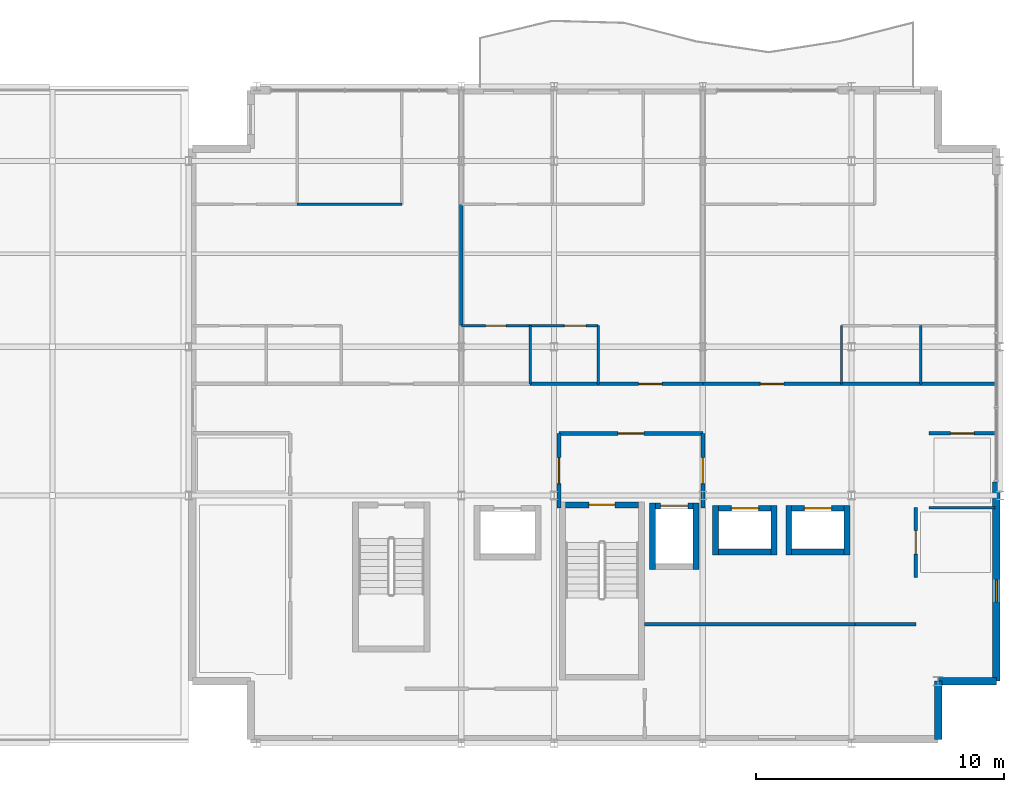
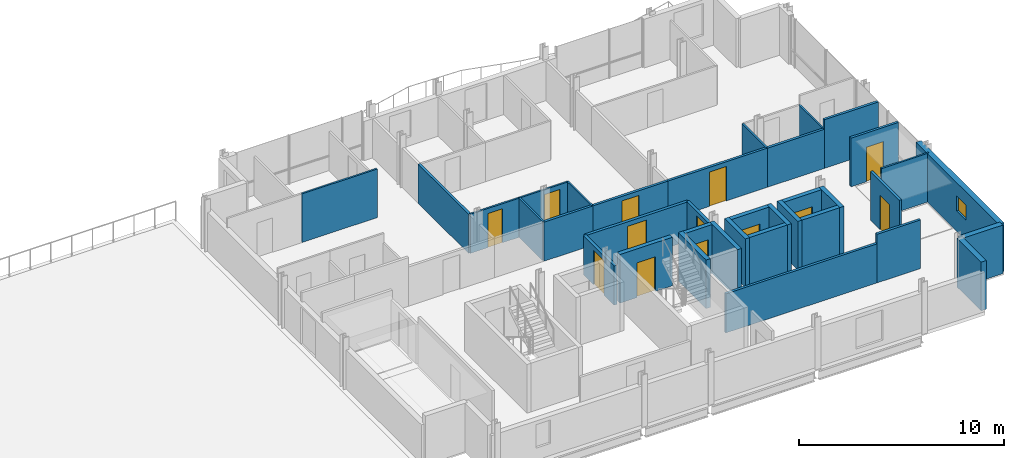
# One storey, part 14 of 17: 36 walls, 13 doors, 1 window, 14 openings.
"""IFC4 building model written with IfcOpenShell, lengths in metres."""

from ifc_helpers import new_model, si_unit, direction, frame, frame_2d, origin, place, context, subcontext, project, spatial, rectangle, extrude, material, layer, layer_set, type_object, element, fill, save


model = new_model("IFC4")

# Units and contexts
model_context = context("Model", 3, precision=1e-05, world=origin(), true_north=direction((0.0, 1.0)))
body_context = subcontext(model_context, "Body", "Model", "MODEL_VIEW")
ifc_project = project(units=[si_unit("LENGTHUNIT", "METRE"), si_unit("AREAUNIT", "SQUARE_METRE"), si_unit("VOLUMEUNIT", "CUBIC_METRE"), si_unit("PLANEANGLEUNIT", "RADIAN"), si_unit("MASSUNIT", "GRAM", prefix="KILO")], contexts=[model_context])

# Site, building, storey
site_placement = place(None, origin())
site = spatial("IfcSite", under=ifc_project, at=site_placement, CompositionType="ELEMENT")
building_placement = place(site_placement, origin())
building = spatial("IfcBuilding", under=site, at=building_placement, Name="Brevholm Reach", CompositionType="ELEMENT")
storey_placement = place(building_placement, frame((0.0, 0.0, 221.10009765625)))
storey = spatial("IfcBuildingStorey", under=building, at=storey_placement, Name="L67", CompositionType="ELEMENT", Elevation=221.10009765625)

# Wall, opening, door
ifc_material_1 = material(Name="Concrete C45/55", Category="concrete")
ifc_layer_1 = layer(ifc_material_1, 0.239990234375)
ifc_layer_set_1 = layer_set([ifc_layer_1], Name="Concrete C45/55")
wall_type_1 = type_object("IfcWallType", Name="WAL-COR-240", PredefinedType="SHEAR", material=ifc_layer_set_1)
wall_1_placement = place(storey_placement, frame((45.39990234375, 9.6201171875, 0.0), z_axis=(0.0, 0.0, 1.0), x_axis=(-1.0, 0.0, 0.0)))
wall_1 = element("IfcWall", 1, at=wall_1_placement, inside=storey, type_object=wall_type_1, Name="L67 Escape Stair ST-2 Core Wall N", PredefinedType="SHEAR", context=body_context, shape_type="SweptSolid", body=[
    extrude(rectangle(XDim=2.949951171875, YDim=0.239990234375, at=frame_2d((1.47509765625, 0.0))), origin(), (0.0, 0.0, 1.0), 2.889892578125),
])
opening_1_placement = place(wall_1_placement, frame((0.949951171875, 0.0, 0.0)))
opening_1 = element("IfcOpeningElement", 2, at=opening_1_placement, cuts=wall_1, Name="Opening SD-ST-2", PredefinedType="OPENING", context=body_context, shape_type="SweptSolid", body=[
    extrude(rectangle(XDim=1.050048828125, YDim=2.06005859375, at=frame_2d((0.52490234375, 1.030029296875))), frame((0.0, 0.1298828125, 0.0), z_axis=(0.0, -1.0, 0.0), x_axis=(1.0, 0.0, 0.0)), (0.0, 0.0, 1.0), 0.260009765625),
])
ifc_material_2 = material(Name="Hardwood-Lipped Steel-Core Fire and Smoke Door", Category="steel")
door_type_1 = type_object("IfcDoorType", Name="DOR-INT-FD60S", OperationType="NOTDEFINED", PredefinedType="DOOR", material=ifc_material_2)
door_1_placement = place(opening_1_placement, origin())
door_1 = element("IfcDoor", 3, at=door_1_placement, inside=storey, type_object=door_type_1, Name="L67 Protected Stair ST-2 Lobby Door", OperationType="SINGLE_SWING_RIGHT", OverallHeight=2.06005859375, OverallWidth=1.050048828125, PredefinedType="DOOR", context=body_context, shape_type="SweptSolid", body=[
    extrude(rectangle(XDim=1.050048828125, YDim=2.06005859375, at=frame_2d((0.52490234375, 1.030029296875))), frame((0.0, 0.02490234375, 0.0), z_axis=(0.0, -1.0, 0.0), x_axis=(1.0, 0.0, 0.0)), (0.0, 0.0, 1.0), 0.050048828125),
])
fill(opening_1, door_1)

# Walls
for number, where, z_axis, x_axis, name in (
    (4, (45.969970703125, 7.0, 0.0), (0.0, 0.0, 1.0), (0.0, 1.0, 0.0), "L67 Lift FFL-2 Shaft Wall W"),
    (5, (47.72998046875, 7.0, 0.0), (0.0, 0.0, 1.0), (0.0, 1.0, 0.0), "L67 Lift FFL-2 Shaft Wall E"),
):
    element("IfcWall", number, at=place(storey_placement, frame(where, z_axis=z_axis, x_axis=x_axis)), inside=storey, type_object=wall_type_1, Name=name, PredefinedType="SHEAR", context=body_context, shape_type="SweptSolid", body=[
        extrude(rectangle(XDim=2.699951171875, YDim=0.239990234375, at=frame_2d((1.35009765625, 0.0))), origin(), (0.0, 0.0, 1.0), 2.889892578125),
    ])

# Wall, opening, door
wall_2_placement = place(storey_placement, frame((46.090087890625, 9.580078125, 0.0), z_axis=(0.0, 0.0, 1.0), x_axis=(1.0, 0.0, 0.0)))
wall_2 = element("IfcWall", 6, at=wall_2_placement, inside=storey, type_object=wall_type_1, Name="L67 Lift FFL-2 Shaft Wall N", PredefinedType="SHEAR", context=body_context, shape_type="SweptSolid", body=[
    extrude(rectangle(XDim=1.52001953125, YDim=0.239990234375, at=frame_2d((0.760009765625, 0.0))), origin(), (0.0, 0.0, 1.0), 2.889892578125),
])
opening_2_placement = place(wall_2_placement, frame((0.2099609375, 0.0, 0.0)))
opening_2 = element("IfcOpeningElement", 7, at=opening_2_placement, cuts=wall_2, Name="Opening LD-FFL-2", PredefinedType="OPENING", context=body_context, shape_type="SweptSolid", body=[
    extrude(rectangle(XDim=1.10009765625, YDim=2.06005859375, at=frame_2d((0.550048828125, 1.030029296875))), frame((0.0, 0.1298828125, 0.0), z_axis=(0.0, -1.0, 0.0), x_axis=(1.0, 0.0, 0.0)), (0.0, 0.0, 1.0), 0.260009765625),
])
ifc_material_3 = material(Name="Brushed Stainless Steel Fire-Rated Sliding Lift Door", Category="steel")
door_type_2 = type_object("IfcDoorType", Name="DOR-LFT-1100", OperationType="NOTDEFINED", PredefinedType="DOOR", material=ifc_material_3)
door_2_placement = place(opening_2_placement, origin())
door_2 = element("IfcDoor", 8, at=door_2_placement, inside=storey, type_object=door_type_2, Name="L67 Lift FFL-2 Sliding Landing Door", OperationType="SLIDING_TO_RIGHT", OverallHeight=2.06005859375, OverallWidth=1.10009765625, PredefinedType="DOOR", context=body_context, shape_type="SweptSolid", body=[
    extrude(rectangle(XDim=1.10009765625, YDim=2.06005859375, at=frame_2d((0.550048828125, 1.030029296875))), frame((0.0, 0.02490234375, 0.0), z_axis=(0.0, -1.0, 0.0), x_axis=(1.0, 0.0, 0.0)), (0.0, 0.0, 1.0), 0.050048828125),
])
fill(opening_2, door_2)

# Walls
for number, where, z_axis, x_axis, name in (
    (9, (48.52001953125, 7.60009765625, 0.0), (0.0, 0.0, 1.0), (0.0, 1.0, 0.0), "L67 Lift PL-H1 Shaft Wall W"),
    (10, (50.8798828125, 7.60009765625, 0.0), (0.0, 0.0, 1.0), (0.0, 1.0, 0.0), "L67 Lift PL-H1 Shaft Wall E"),
):
    element("IfcWall", number, at=place(storey_placement, frame(where, z_axis=z_axis, x_axis=x_axis)), inside=storey, type_object=wall_type_1, Name=name, PredefinedType="SHEAR", context=body_context, shape_type="SweptSolid", body=[
        extrude(rectangle(XDim=2.0, YDim=0.239990234375, at=frame_2d((1.0, 0.0))), origin(), (0.0, 0.0, 1.0), 2.889892578125),
    ])
wall_3_placement = place(storey_placement, frame((48.639892578125, 7.719970703125, 0.0), z_axis=(0.0, 0.0, 1.0), x_axis=(1.0, 0.0, 0.0)))
element("IfcWall", 11, at=wall_3_placement, inside=storey, type_object=wall_type_1, Name="L67 Lift PL-H1 Shaft Wall S", PredefinedType="SHEAR", context=body_context, shape_type="SweptSolid", body=[
    extrude(rectangle(XDim=2.1201171875, YDim=0.239990234375, at=frame_2d((1.06005859375, 0.0))), origin(), (0.0, 0.0, 1.0), 2.889892578125),
])

# Wall, opening, door
wall_4_placement = place(storey_placement, frame((48.639892578125, 9.47998046875, 0.0), z_axis=(0.0, 0.0, 1.0), x_axis=(1.0, 0.0, 0.0)))
wall_4 = element("IfcWall", 12, at=wall_4_placement, inside=storey, type_object=wall_type_1, Name="L67 Lift PL-H1 Shaft Wall N", PredefinedType="SHEAR", context=body_context, shape_type="SweptSolid", body=[
    extrude(rectangle(XDim=2.1201171875, YDim=0.239990234375, at=frame_2d((1.06005859375, 0.0))), origin(), (0.0, 0.0, 1.0), 2.889892578125),
])
opening_3_placement = place(wall_4_placement, frame((0.510009765625, 0.0, 0.0)))
opening_3 = element("IfcOpeningElement", 13, at=opening_3_placement, cuts=wall_4, Name="Opening LD-PL-H1", PredefinedType="OPENING", context=body_context, shape_type="SweptSolid", body=[
    extrude(rectangle(XDim=1.10009765625, YDim=2.06005859375, at=frame_2d((0.550048828125, 1.030029296875))), frame((0.0, 0.1298828125, 0.0), z_axis=(0.0, -1.0, 0.0), x_axis=(1.0, 0.0, 0.0)), (0.0, 0.0, 1.0), 0.260009765625),
])
door_3_placement = place(opening_3_placement, origin())
door_3 = element("IfcDoor", 14, at=door_3_placement, inside=storey, type_object=door_type_2, Name="L67 Lift PL-H1 Sliding Landing Door", OperationType="SLIDING_TO_RIGHT", OverallHeight=2.06005859375, OverallWidth=1.10009765625, PredefinedType="DOOR", context=body_context, shape_type="SweptSolid", body=[
    extrude(rectangle(XDim=1.10009765625, YDim=2.06005859375, at=frame_2d((0.550048828125, 1.030029296875))), frame((0.0, 0.02490234375, 0.0), z_axis=(0.0, -1.0, 0.0), x_axis=(1.0, 0.0, 0.0)), (0.0, 0.0, 1.0), 0.050048828125),
])
fill(opening_3, door_3)

# Walls
for number, where, z_axis, x_axis, name in (
    (15, (51.469970703125, 7.60009765625, 0.0), (0.0, 0.0, 1.0), (0.0, 1.0, 0.0), "L67 Lift PL-H2 Shaft Wall W"),
    (16, (53.830078125, 7.60009765625, 0.0), (0.0, 0.0, 1.0), (0.0, 1.0, 0.0), "L67 Lift PL-H2 Shaft Wall E"),
):
    element("IfcWall", number, at=place(storey_placement, frame(where, z_axis=z_axis, x_axis=x_axis)), inside=storey, type_object=wall_type_1, Name=name, PredefinedType="SHEAR", context=body_context, shape_type="SweptSolid", body=[
        extrude(rectangle(XDim=2.0, YDim=0.239990234375, at=frame_2d((1.0, 0.0))), origin(), (0.0, 0.0, 1.0), 2.889892578125),
    ])
wall_5_placement = place(storey_placement, frame((51.590087890625, 7.719970703125, 0.0), z_axis=(0.0, 0.0, 1.0), x_axis=(1.0, 0.0, 0.0)))
element("IfcWall", 17, at=wall_5_placement, inside=storey, type_object=wall_type_1, Name="L67 Lift PL-H2 Shaft Wall S", PredefinedType="SHEAR", context=body_context, shape_type="SweptSolid", body=[
    extrude(rectangle(XDim=2.119873046875, YDim=0.239990234375, at=frame_2d((1.06005859375, 0.0))), origin(), (0.0, 0.0, 1.0), 2.889892578125),
])

# Wall, opening, door
wall_6_placement = place(storey_placement, frame((51.590087890625, 9.47998046875, 0.0), z_axis=(0.0, 0.0, 1.0), x_axis=(1.0, 0.0, 0.0)))
wall_6 = element("IfcWall", 18, at=wall_6_placement, inside=storey, type_object=wall_type_1, Name="L67 Lift PL-H2 Shaft Wall N", PredefinedType="SHEAR", context=body_context, shape_type="SweptSolid", body=[
    extrude(rectangle(XDim=2.119873046875, YDim=0.239990234375, at=frame_2d((1.06005859375, 0.0))), origin(), (0.0, 0.0, 1.0), 2.889892578125),
])
opening_4_placement = place(wall_6_placement, frame((0.510009765625, 0.0, 0.0)))
opening_4 = element("IfcOpeningElement", 19, at=opening_4_placement, cuts=wall_6, Name="Opening LD-PL-H2", PredefinedType="OPENING", context=body_context, shape_type="SweptSolid", body=[
    extrude(rectangle(XDim=1.10009765625, YDim=2.06005859375, at=frame_2d((0.550048828125, 1.030029296875))), frame((0.0, 0.1298828125, 0.0), z_axis=(0.0, -1.0, 0.0), x_axis=(1.0, 0.0, 0.0)), (0.0, 0.0, 1.0), 0.260009765625),
])
door_4_placement = place(opening_4_placement, origin())
door_4 = element("IfcDoor", 20, at=door_4_placement, inside=storey, type_object=door_type_2, Name="L67 Lift PL-H2 Sliding Landing Door", OperationType="SLIDING_TO_LEFT", OverallHeight=2.06005859375, OverallWidth=1.10009765625, PredefinedType="DOOR", context=body_context, shape_type="SweptSolid", body=[
    extrude(rectangle(XDim=1.10009765625, YDim=2.06005859375, at=frame_2d((0.550048828125, 1.030029296875))), frame((0.0, 0.02490234375, 0.0), z_axis=(0.0, -1.0, 0.0), x_axis=(1.0, 0.0, 0.0)), (0.0, 0.0, 1.0), 0.050048828125),
])
fill(opening_4, door_4)

# Walls
ifc_material_4 = material(Name="Concrete C40/50", Category="concrete")
ifc_layer_2 = layer(ifc_material_4, 0.300048828125)
ifc_layer_set_2 = layer_set([ifc_layer_2], Name="Concrete C40/50")
wall_type_2 = type_object("IfcWallType", Name="WAL-EXT-300", PredefinedType="STANDARD", material=ifc_layer_set_2)
for number, where, z_axis, x_axis, name in (
    (21, (57.5, 0.14990234375, 0.0), (0.0, 0.0, 1.0), (0.0, 1.0, 0.0), "L67 Facade Wall WAL-L67-CSE1"),
    (22, (57.5, 2.5, 0.0), (0.0, 0.0, 1.0), (1.0, 0.0, 0.0), "L67 Facade Wall WAL-L67-CSE2"),
):
    element("IfcWall", number, at=place(storey_placement, frame(where, z_axis=z_axis, x_axis=x_axis)), inside=storey, type_object=wall_type_2, Name=name, PredefinedType="STANDARD", context=body_context, shape_type="SweptSolid", body=[
        extrude(rectangle(XDim=2.35009765625, YDim=0.300048828125, at=frame_2d((1.175048828125, 0.0))), origin(), (0.0, 0.0, 1.0), 2.889892578125),
    ])

# Wall, opening, window
wall_7_placement = place(storey_placement, frame((59.85009765625, 2.5, 0.0), z_axis=(0.0, 0.0, 1.0), x_axis=(0.0, 1.0, 0.0)))
wall_7 = element("IfcWall", 23, at=wall_7_placement, inside=storey, type_object=wall_type_2, Name="L67 Facade Wall WAL-L67-E-S", PredefinedType="STANDARD", context=body_context, shape_type="SweptSolid", body=[
    extrude(rectangle(XDim=8.050048828125, YDim=0.300048828125, at=frame_2d((4.02490234375, 0.0))), origin(), (0.0, 0.0, 1.0), 2.889892578125),
])
opening_5_placement = place(wall_7_placement, frame((3.199951171875, 0.0, 1.199951171875)))
opening_5 = element("IfcOpeningElement", 24, at=opening_5_placement, cuts=wall_7, Name="Opening WN-09", PredefinedType="OPENING", context=body_context, shape_type="SweptSolid", body=[
    extrude(rectangle(XDim=0.89990234375, YDim=0.89990234375, at=frame_2d((0.449951171875, 0.449951171875))), frame((0.0, 0.159912109375, 0.0), z_axis=(0.0, -1.0, 0.0), x_axis=(1.0, 0.0, 0.0)), (0.0, 0.0, 1.0), 0.320068359375),
])
ifc_material_5 = material(Name="Dark Anodised Aluminium and Solar-Control IGU Glass", Category="aluminium")
window_type = type_object("IfcWindowType", Name="WIN-POR-0900", PartitioningType="SINGLE_PANEL", PredefinedType="WINDOW", material=ifc_material_5)
window_placement = place(opening_5_placement, origin())
window = element("IfcWindow", 25, at=window_placement, inside=storey, type_object=window_type, Name="L67 Window WIN-L67-ES-1", OverallHeight=0.89990234375, OverallWidth=0.89990234375, PartitioningType="SINGLE_PANEL", PredefinedType="WINDOW", context=body_context, shape_type="SweptSolid", body=[
    extrude(rectangle(XDim=0.89990234375, YDim=0.89990234375, at=frame_2d((0.449951171875, 0.449951171875))), frame((0.0, 0.030029296875, 0.0), z_axis=(0.0, -1.0, 0.0), x_axis=(1.0, 0.0, 0.0)), (0.0, 0.0, 1.0), 0.06005859375),
])
fill(opening_5, window)

# Walls
ifc_material_6 = material(Name="Moisture-Resistant Acoustic Gypsum Stud Partition 100 mm", Category="gypsum")
ifc_layer_3 = layer(ifc_material_6, 0.10009765625)
ifc_layer_set_3 = layer_set([ifc_layer_3], Name="Moisture-Resistant Acoustic Gypsum Stud Partition 100 mm")
wall_type_3 = type_object("IfcWallType", Name="WAL-PRT-100", PredefinedType="PARTITIONING", material=ifc_layer_set_3)
wall_8_placement = place(storey_placement, frame((57.138671875, 9.5, 0.0), z_axis=(0.0, 0.0, 1.0), x_axis=(1.0, 0.0, 0.0)))
element("IfcWall", 26, at=wall_8_placement, inside=storey, type_object=wall_type_3, Name="L67 Internal Partition 011", PredefinedType="PARTITIONING", context=body_context, shape_type="SweptSolid", body=[
    extrude(rectangle(XDim=2.661376953125, YDim=0.10009765625, at=frame_2d((1.33056640625, 0.0))), origin(), (0.0, 0.0, 1.0), 2.889892578125),
])
wall_9_placement = place(storey_placement, frame((31.62890625, 21.75, 0.0), z_axis=(0.0, 0.0, 1.0), x_axis=(1.0, 0.0, 0.0)))
element("IfcWall", 27, at=wall_9_placement, inside=storey, type_object=wall_type_3, Name="L67 Internal Partition 030", PredefinedType="PARTITIONING", context=body_context, shape_type="SweptSolid", body=[
    extrude(rectangle(XDim=4.22119140625, YDim=0.10009765625, at=frame_2d((2.110595703125, 0.0))), origin(), (0.0, 0.0, 1.0), 2.889892578125),
])
wall_10_placement = place(storey_placement, frame((41.04296875, 14.50390625, 0.0), z_axis=(0.0, 0.0, 1.0), x_axis=(0.0, 1.0, 0.0)))
element("IfcWall", 28, at=wall_10_placement, inside=storey, type_object=wall_type_3, Name="L67 Internal Partition 034", PredefinedType="PARTITIONING", context=body_context, shape_type="SweptSolid", body=[
    extrude(rectangle(XDim=2.34619140625, YDim=0.10009765625, at=frame_2d((1.173095703125, 0.0))), origin(), (0.0, 0.0, 1.0), 2.325439453125),
])

# Wall, opening, door
wall_11_placement = place(storey_placement, frame((38.25390625, 16.85009765625, 0.0), z_axis=(0.0, 0.0, 1.0), x_axis=(1.0, 0.0, 0.0)))
wall_11 = element("IfcWall", 29, at=wall_11_placement, inside=storey, type_object=wall_type_3, Name="L67 Internal Partition 035", PredefinedType="PARTITIONING", context=body_context, shape_type="SweptSolid", body=[
    extrude(rectangle(XDim=2.7890625, YDim=0.10009765625, at=frame_2d((1.39453125, 0.0))), origin(), (0.0, 0.0, 1.0), 2.325439453125),
])
opening_6_placement = place(wall_11_placement, frame((0.984619140625, 0.0, 0.0)))
opening_6 = element("IfcOpeningElement", 30, at=opening_6_placement, cuts=wall_11, Name="Opening ID-03", PredefinedType="OPENING", context=body_context, shape_type="SweptSolid", body=[
    extrude(rectangle(XDim=0.820068359375, YDim=2.02001953125, at=frame_2d((0.41015625, 1.010009765625))), frame((0.0, 0.06005859375, 0.0), z_axis=(0.0, -1.0, 0.0), x_axis=(1.0, 0.0, 0.0)), (0.0, 0.0, 1.0), 0.1201171875),
])
ifc_material_7 = material(Name="Moisture-Resistant Painted Timber Internal Bathroom Door", Category="wood")
door_type_3 = type_object("IfcDoorType", Name="DOR-BATH-820", OperationType="NOTDEFINED", PredefinedType="DOOR", material=ifc_material_7)
door_5_placement = place(opening_6_placement, origin())
door_5 = element("IfcDoor", 31, at=door_5_placement, inside=storey, type_object=door_type_3, Name="L67 Internal Door 017", OperationType="SINGLE_SWING_RIGHT", OverallHeight=2.02001953125, OverallWidth=0.820068359375, PredefinedType="DOOR", context=body_context, shape_type="SweptSolid", body=[
    extrude(rectangle(XDim=0.820068359375, YDim=2.02001953125, at=frame_2d((0.41015625, 1.010009765625))), frame((0.0, 0.02490234375, 0.0), z_axis=(0.0, -1.0, 0.0), x_axis=(1.0, 0.0, 0.0)), (0.0, 0.0, 1.0), 0.050048828125),
])
fill(opening_6, door_5)

# Wall
wall_12_placement = place(storey_placement, frame((43.77294921875, 14.50390625, 0.0), z_axis=(0.0, 0.0, 1.0), x_axis=(0.0, 1.0, 0.0)))
element("IfcWall", 32, at=wall_12_placement, inside=storey, type_object=wall_type_3, Name="L67 Internal Partition 036", PredefinedType="PARTITIONING", context=body_context, shape_type="SweptSolid", body=[
    extrude(rectangle(XDim=2.34619140625, YDim=0.10009765625, at=frame_2d((1.173095703125, 0.0))), origin(), (0.0, 0.0, 1.0), 2.325439453125),
])

# Wall, opening, door
wall_13_placement = place(storey_placement, frame((41.047119140625, 16.85009765625, 0.0), z_axis=(0.0, 0.0, 1.0), x_axis=(1.0, 0.0, 0.0)))
wall_13 = element("IfcWall", 33, at=wall_13_placement, inside=storey, type_object=wall_type_3, Name="L67 Internal Partition 037", PredefinedType="PARTITIONING", context=body_context, shape_type="SweptSolid", body=[
    extrude(rectangle(XDim=2.725830078125, YDim=0.10009765625, at=frame_2d((1.36279296875, 0.0))), origin(), (0.0, 0.0, 1.0), 2.325439453125),
])
opening_7_placement = place(wall_13_placement, frame((1.363037109375, 0.0, 0.0)))
opening_7 = element("IfcOpeningElement", 34, at=opening_7_placement, cuts=wall_13, Name="Opening ID-01", PredefinedType="OPENING", context=body_context, shape_type="SweptSolid", body=[
    extrude(rectangle(XDim=0.8798828125, YDim=2.0400390625, at=frame_2d((0.43994140625, 1.02001953125))), frame((0.0, 0.06005859375, 0.0), z_axis=(0.0, -1.0, 0.0), x_axis=(1.0, 0.0, 0.0)), (0.0, 0.0, 1.0), 0.1201171875),
])
ifc_material_8 = material(Name="Lacquered Ash Solid-Core Acoustic Internal Door", Category="timber")
door_type_4 = type_object("IfcDoorType", Name="DOR-INT-880", OperationType="NOTDEFINED", PredefinedType="DOOR", material=ifc_material_8)
door_6_placement = place(opening_7_placement, origin())
door_6 = element("IfcDoor", 35, at=door_6_placement, inside=storey, type_object=door_type_4, Name="L67 Internal Door 018", OperationType="SINGLE_SWING_LEFT", OverallHeight=2.0400390625, OverallWidth=0.8798828125, PredefinedType="DOOR", context=body_context, shape_type="SweptSolid", body=[
    extrude(rectangle(XDim=0.8798828125, YDim=2.0400390625, at=frame_2d((0.43994140625, 1.02001953125))), frame((0.0, 0.02490234375, 0.0), z_axis=(0.0, -1.0, 0.0), x_axis=(1.0, 0.0, 0.0)), (0.0, 0.0, 1.0), 0.050048828125),
])
fill(opening_7, door_6)

# Walls
for number, where, z_axis, x_axis, name in (
    (36, (56.800048828125, 14.50390625, 0.0), (0.0, 0.0, 1.0), (0.0, 1.0, 0.0), "L67 Internal Partition 044"),
    (37, (53.60009765625, 14.50390625, 0.0), (0.0, 0.0, 1.0), (0.0, 1.0, 0.0), "L67 Internal Partition 047"),
):
    element("IfcWall", number, at=place(storey_placement, frame(where, z_axis=z_axis, x_axis=x_axis)), inside=storey, type_object=wall_type_3, Name=name, PredefinedType="PARTITIONING", context=body_context, shape_type="SweptSolid", body=[
        extrude(rectangle(XDim=2.34619140625, YDim=0.10009765625, at=frame_2d((1.173095703125, 0.0))), origin(), (0.0, 0.0, 1.0), 2.325439453125),
    ])
ifc_material_9 = material(Name="Twin-Stud Acoustic Fire-Rated Gypsum Partition 140 mm", Category="gypsum")
ifc_layer_4 = layer(ifc_material_9, 0.139892578125)
ifc_layer_set_4 = layer_set([ifc_layer_4], Name="Twin-Stud Acoustic Fire-Rated Gypsum Partition 140 mm")
wall_type_4 = type_object("IfcWallType", Name="WAL-PRT-140", PredefinedType="PARTITIONING", material=ifc_layer_set_4)
wall_14_placement = place(storey_placement, frame((45.64990234375, 4.800048828125, 0.0), z_axis=(0.0, 0.0, 1.0), x_axis=(1.0, 0.0, 0.0)))
element("IfcWall", 38, at=wall_14_placement, inside=storey, type_object=wall_type_4, Name="L67 Internal Partition 005", PredefinedType="PARTITIONING", context=body_context, shape_type="SweptSolid", body=[
    extrude(rectangle(XDim=8.5, YDim=0.139892578125, at=frame_2d((4.25, 0.0))), origin(), (0.0, 0.0, 1.0), 2.325439453125),
])
wall_15_placement = place(storey_placement, frame((54.154052734375, 4.800048828125, 0.0), z_axis=(0.0, 0.0, 1.0), x_axis=(1.0, 0.0, 0.0)))
element("IfcWall", 39, at=wall_15_placement, inside=storey, type_object=wall_type_4, Name="L67 Internal Partition 006", PredefinedType="PARTITIONING", context=body_context, shape_type="SweptSolid", body=[
    extrude(rectangle(XDim=2.446044921875, YDim=0.139892578125, at=frame_2d((1.22314453125, 0.0))), origin(), (0.0, 0.0, 1.0), 2.889892578125),
])

# Wall, opening, door
wall_16_placement = place(storey_placement, frame((56.60009765625, 6.688720703125, 0.0), z_axis=(0.0, 0.0, 1.0), x_axis=(0.0, 1.0, 0.0)))
wall_16 = element("IfcWall", 40, at=wall_16_placement, inside=storey, type_object=wall_type_4, Name="L67 Internal Partition 007", PredefinedType="PARTITIONING", context=body_context, shape_type="SweptSolid", body=[
    extrude(rectangle(XDim=2.822509765625, YDim=0.139892578125, at=frame_2d((1.4111328125, 0.0))), origin(), (0.0, 0.0, 1.0), 2.889892578125),
])
opening_8_placement = place(wall_16_placement, frame((0.936279296875, 0.0, 0.0)))
opening_8 = element("IfcOpeningElement", 41, at=opening_8_placement, cuts=wall_16, Name="Opening ID-30", PredefinedType="OPENING", context=body_context, shape_type="SweptSolid", body=[
    extrude(rectangle(XDim=0.949951171875, YDim=2.050048828125, at=frame_2d((0.47509765625, 1.02490234375))), frame((0.0, 0.079833984375, 0.0), z_axis=(0.0, -1.0, 0.0), x_axis=(1.0, 0.0, 0.0)), (0.0, 0.0, 1.0), 0.159912109375),
])
ifc_material_10 = material(Name="European Oak Veneered Solid-Core Fire Entrance Door", Category="timber")
door_type_5 = type_object("IfcDoorType", Name="DOR-FLT-FD30S", OperationType="NOTDEFINED", PredefinedType="DOOR", material=ifc_material_10)
door_7_placement = place(opening_8_placement, origin())
door_7 = element("IfcDoor", 42, at=door_7_placement, inside=storey, type_object=door_type_5, Name="L67 Internal Door 005", OperationType="SINGLE_SWING_RIGHT", OverallHeight=2.050048828125, OverallWidth=0.949951171875, PredefinedType="DOOR", context=body_context, shape_type="SweptSolid", body=[
    extrude(rectangle(XDim=0.949951171875, YDim=2.050048828125, at=frame_2d((0.47509765625, 1.02490234375))), frame((0.0, 0.02490234375, 0.0), z_axis=(0.0, -1.0, 0.0), x_axis=(1.0, 0.0, 0.0)), (0.0, 0.0, 1.0), 0.050048828125),
])
fill(opening_8, door_7)

wall_17_placement = place(storey_placement, frame((57.138671875, 12.5, 0.0), z_axis=(0.0, 0.0, 1.0), x_axis=(1.0, 0.0, 0.0)))
wall_17 = element("IfcWall", 43, at=wall_17_placement, inside=storey, type_object=wall_type_4, Name="L67 Internal Partition 012", PredefinedType="PARTITIONING", context=body_context, shape_type="SweptSolid", body=[
    extrude(rectangle(XDim=2.672607421875, YDim=0.139892578125, at=frame_2d((1.33642578125, 0.0))), origin(), (0.0, 0.0, 1.0), 2.889892578125),
])
opening_9_placement = place(wall_17_placement, frame((0.861328125, 0.0, 0.0)))
opening_9 = element("IfcOpeningElement", 44, at=opening_9_placement, cuts=wall_17, Name="Opening ID-30", PredefinedType="OPENING", context=body_context, shape_type="SweptSolid", body=[
    extrude(rectangle(XDim=0.949951171875, YDim=2.050048828125, at=frame_2d((0.47509765625, 1.02490234375))), frame((0.0, 0.079833984375, 0.0), z_axis=(0.0, -1.0, 0.0), x_axis=(1.0, 0.0, 0.0)), (0.0, 0.0, 1.0), 0.159912109375),
])
door_8_placement = place(opening_9_placement, origin())
door_8 = element("IfcDoor", 45, at=door_8_placement, inside=storey, type_object=door_type_5, Name="L67 Internal Door 009", OperationType="SINGLE_SWING_RIGHT", OverallHeight=2.050048828125, OverallWidth=0.949951171875, PredefinedType="DOOR", context=body_context, shape_type="SweptSolid", body=[
    extrude(rectangle(XDim=0.949951171875, YDim=2.050048828125, at=frame_2d((0.47509765625, 1.02490234375))), frame((0.0, 0.02490234375, 0.0), z_axis=(0.0, -1.0, 0.0), x_axis=(1.0, 0.0, 0.0)), (0.0, 0.0, 1.0), 0.050048828125),
])
fill(opening_9, door_8)

# Wall
wall_18_placement = place(storey_placement, frame((41.03564453125, 14.5, 0.0), z_axis=(0.0, 0.0, 1.0), x_axis=(1.0, 0.0, 0.0)))
element("IfcWall", 46, at=wall_18_placement, inside=storey, type_object=wall_type_4, Name="L67 Internal Partition 018", PredefinedType="PARTITIONING", context=body_context, shape_type="SweptSolid", body=[
    extrude(rectangle(XDim=2.74853515625, YDim=0.139892578125, at=frame_2d((1.374267578125, 0.0))), origin(), (0.0, 0.0, 1.0), 2.325439453125),
])

# Wall, opening, door
wall_19_placement = place(storey_placement, frame((43.765625, 14.5, 0.0), z_axis=(0.0, 0.0, 1.0), x_axis=(1.0, 0.0, 0.0)))
wall_19 = element("IfcWall", 47, at=wall_19_placement, inside=storey, type_object=wall_type_4, Name="L67 Internal Partition 019", PredefinedType="PARTITIONING", context=body_context, shape_type="SweptSolid", body=[
    extrude(rectangle(XDim=4.24560546875, YDim=0.139892578125, at=frame_2d((2.122802734375, 0.0))), origin(), (0.0, 0.0, 1.0), 2.325439453125),
])
opening_10_placement = place(wall_19_placement, frame((1.647705078125, 0.0, 0.0)))
opening_10 = element("IfcOpeningElement", 48, at=opening_10_placement, cuts=wall_19, Name="Opening ID-30", PredefinedType="OPENING", context=body_context, shape_type="SweptSolid", body=[
    extrude(rectangle(XDim=0.949951171875, YDim=2.050048828125, at=frame_2d((0.47509765625, 1.02490234375))), frame((0.0, 0.079833984375, 0.0), z_axis=(0.0, -1.0, 0.0), x_axis=(1.0, 0.0, 0.0)), (0.0, 0.0, 1.0), 0.159912109375),
])
door_9_placement = place(opening_10_placement, origin())
door_9 = element("IfcDoor", 49, at=door_9_placement, inside=storey, type_object=door_type_5, Name="L67 Internal Door 011", OperationType="SINGLE_SWING_RIGHT", OverallHeight=2.050048828125, OverallWidth=0.949951171875, PredefinedType="DOOR", context=body_context, shape_type="SweptSolid", body=[
    extrude(rectangle(XDim=0.949951171875, YDim=2.050048828125, at=frame_2d((0.47509765625, 1.02490234375))), frame((0.0, 0.02490234375, 0.0), z_axis=(0.0, -1.0, 0.0), x_axis=(1.0, 0.0, 0.0)), (0.0, 0.0, 1.0), 0.050048828125),
])
fill(opening_10, door_9)

# Walls
wall_20_placement = place(storey_placement, frame((56.788818359375, 14.5, 0.0), z_axis=(0.0, 0.0, 1.0), x_axis=(1.0, 0.0, 0.0)))
element("IfcWall", 50, at=wall_20_placement, inside=storey, type_object=wall_type_4, Name="L67 Internal Partition 020", PredefinedType="PARTITIONING", context=body_context, shape_type="SweptSolid", body=[
    extrude(rectangle(XDim=3.03125, YDim=0.139892578125, at=frame_2d((1.515625, 0.0))), origin(), (0.0, 0.0, 1.0), 2.889892578125),
])
wall_21_placement = place(storey_placement, frame((53.588623046875, 14.5, 0.0), z_axis=(0.0, 0.0, 1.0), x_axis=(1.0, 0.0, 0.0)))
element("IfcWall", 51, at=wall_21_placement, inside=storey, type_object=wall_type_4, Name="L67 Internal Partition 021", PredefinedType="PARTITIONING", context=body_context, shape_type="SweptSolid", body=[
    extrude(rectangle(XDim=3.21875, YDim=0.139892578125, at=frame_2d((1.609375, 0.0))), origin(), (0.0, 0.0, 1.0), 2.325439453125),
])

# Wall, opening, door
wall_22_placement = place(storey_placement, frame((47.99267578125, 14.5, 0.0), z_axis=(0.0, 0.0, 1.0), x_axis=(1.0, 0.0, 0.0)))
wall_22 = element("IfcWall", 52, at=wall_22_placement, inside=storey, type_object=wall_type_4, Name="L67 Internal Partition 022", PredefinedType="PARTITIONING", context=body_context, shape_type="SweptSolid", body=[
    extrude(rectangle(XDim=5.61474609375, YDim=0.139892578125, at=frame_2d((2.807373046875, 0.0))), origin(), (0.0, 0.0, 1.0), 2.325439453125),
])
opening_11_placement = place(wall_22_placement, frame((2.332275390625, 0.0, 0.0)))
opening_11 = element("IfcOpeningElement", 53, at=opening_11_placement, cuts=wall_22, Name="Opening ID-30", PredefinedType="OPENING", context=body_context, shape_type="SweptSolid", body=[
    extrude(rectangle(XDim=0.949951171875, YDim=2.050048828125, at=frame_2d((0.47509765625, 1.02490234375))), frame((0.0, 0.079833984375, 0.0), z_axis=(0.0, -1.0, 0.0), x_axis=(1.0, 0.0, 0.0)), (0.0, 0.0, 1.0), 0.159912109375),
])
door_10_placement = place(opening_11_placement, origin())
door_10 = element("IfcDoor", 54, at=door_10_placement, inside=storey, type_object=door_type_5, Name="L67 Internal Door 012", OperationType="SINGLE_SWING_LEFT", OverallHeight=2.050048828125, OverallWidth=0.949951171875, PredefinedType="DOOR", context=body_context, shape_type="SweptSolid", body=[
    extrude(rectangle(XDim=0.949951171875, YDim=2.050048828125, at=frame_2d((0.47509765625, 1.02490234375))), frame((0.0, 0.02490234375, 0.0), z_axis=(0.0, -1.0, 0.0), x_axis=(1.0, 0.0, 0.0)), (0.0, 0.0, 1.0), 0.050048828125),
])
fill(opening_11, door_10)

# Wall
wall_23_placement = place(storey_placement, frame((38.25, 16.8427734375, 0.0), z_axis=(0.0, 0.0, 1.0), x_axis=(0.0, 1.0, 0.0)))
element("IfcWall", 55, at=wall_23_placement, inside=storey, type_object=wall_type_4, Name="L67 Internal Partition 033", PredefinedType="PARTITIONING", context=body_context, shape_type="SweptSolid", body=[
    extrude(rectangle(XDim=4.91455078125, YDim=0.139892578125, at=frame_2d((2.457275390625, 0.0))), origin(), (0.0, 0.0, 1.0), 2.325439453125),
])

# Wall, opening, door
ifc_material_11 = material(Name="Twin-Frame Fire-Rated Gypsum Board and Mineral Wool 160 mm", Category="gypsum")
ifc_layer_5 = layer(ifc_material_11, 0.159912109375)
ifc_layer_set_5 = layer_set([ifc_layer_5], Name="Twin-Frame Fire-Rated Gypsum Board and Mineral Wool 160 mm")
wall_type_5 = type_object("IfcWallType", Name="WAL-PRT-160", PredefinedType="PARTITIONING", material=ifc_layer_set_5)
wall_24_placement = place(storey_placement, frame((42.199951171875, 9.5, 0.0), z_axis=(0.0, 0.0, 1.0), x_axis=(0.0, 1.0, 0.0)))
wall_24 = element("IfcWall", 56, at=wall_24_placement, inside=storey, type_object=wall_type_5, Name="L67 Internal Partition 008", PredefinedType="PARTITIONING", context=body_context, shape_type="SweptSolid", body=[
    extrude(rectangle(XDim=3.0, YDim=0.159912109375, at=frame_2d((1.5, 0.0))), origin(), (0.0, 0.0, 1.0), 2.325439453125),
])
opening_12_placement = place(wall_24_placement, frame((0.97509765625, 0.0, 0.0)))
opening_12 = element("IfcOpeningElement", 57, at=opening_12_placement, cuts=wall_24, Name="Opening FD-01", PredefinedType="OPENING", context=body_context, shape_type="SweptSolid", body=[
    extrude(rectangle(XDim=1.050048828125, YDim=2.06005859375, at=frame_2d((0.52490234375, 1.030029296875))), frame((0.0, 0.08984375, 0.0), z_axis=(0.0, -1.0, 0.0), x_axis=(1.0, 0.0, 0.0)), (0.0, 0.0, 1.0), 0.179931640625),
])
door_11_placement = place(opening_12_placement, origin())
door_11 = element("IfcDoor", 58, at=door_11_placement, inside=storey, type_object=door_type_1, Name="L67 Internal Door 006", OperationType="SINGLE_SWING_LEFT", OverallHeight=2.06005859375, OverallWidth=1.050048828125, PredefinedType="DOOR", context=body_context, shape_type="SweptSolid", body=[
    extrude(rectangle(XDim=1.050048828125, YDim=2.06005859375, at=frame_2d((0.52490234375, 1.030029296875))), frame((0.0, 0.02490234375, 0.0), z_axis=(0.0, -1.0, 0.0), x_axis=(1.0, 0.0, 0.0)), (0.0, 0.0, 1.0), 0.050048828125),
])
fill(opening_12, door_11)

wall_25_placement = place(storey_placement, frame((48.0, 9.5, 0.0), z_axis=(0.0, 0.0, 1.0), x_axis=(0.0, 1.0, 0.0)))
wall_25 = element("IfcWall", 59, at=wall_25_placement, inside=storey, type_object=wall_type_5, Name="L67 Internal Partition 009", PredefinedType="PARTITIONING", context=body_context, shape_type="SweptSolid", body=[
    extrude(rectangle(XDim=3.0, YDim=0.159912109375, at=frame_2d((1.5, 0.0))), origin(), (0.0, 0.0, 1.0), 2.325439453125),
])
opening_13_placement = place(wall_25_placement, frame((0.97509765625, 0.0, 0.0)))
opening_13 = element("IfcOpeningElement", 60, at=opening_13_placement, cuts=wall_25, Name="Opening FD-01", PredefinedType="OPENING", context=body_context, shape_type="SweptSolid", body=[
    extrude(rectangle(XDim=1.050048828125, YDim=2.06005859375, at=frame_2d((0.52490234375, 1.030029296875))), frame((0.0, 0.08984375, 0.0), z_axis=(0.0, -1.0, 0.0), x_axis=(1.0, 0.0, 0.0)), (0.0, 0.0, 1.0), 0.179931640625),
])
door_12_placement = place(opening_13_placement, origin())
door_12 = element("IfcDoor", 61, at=door_12_placement, inside=storey, type_object=door_type_1, Name="L67 Internal Door 007", OperationType="SINGLE_SWING_RIGHT", OverallHeight=2.06005859375, OverallWidth=1.050048828125, PredefinedType="DOOR", context=body_context, shape_type="SweptSolid", body=[
    extrude(rectangle(XDim=1.050048828125, YDim=2.06005859375, at=frame_2d((0.52490234375, 1.030029296875))), frame((0.0, 0.02490234375, 0.0), z_axis=(0.0, -1.0, 0.0), x_axis=(1.0, 0.0, 0.0)), (0.0, 0.0, 1.0), 0.050048828125),
])
fill(opening_13, door_12)

wall_26_placement = place(storey_placement, frame((42.199951171875, 12.5, 0.0), z_axis=(0.0, 0.0, 1.0), x_axis=(1.0, 0.0, 0.0)))
wall_26 = element("IfcWall", 62, at=wall_26_placement, inside=storey, type_object=wall_type_5, Name="L67 Internal Partition 010", PredefinedType="PARTITIONING", context=body_context, shape_type="SweptSolid", body=[
    extrude(rectangle(XDim=5.800048828125, YDim=0.159912109375, at=frame_2d((2.89990234375, 0.0))), origin(), (0.0, 0.0, 1.0), 2.325439453125),
])
opening_14_placement = place(wall_26_placement, frame((2.375, 0.0, 0.0)))
opening_14 = element("IfcOpeningElement", 63, at=opening_14_placement, cuts=wall_26, Name="Opening FD-01", PredefinedType="OPENING", context=body_context, shape_type="SweptSolid", body=[
    extrude(rectangle(XDim=1.050048828125, YDim=2.06005859375, at=frame_2d((0.52490234375, 1.030029296875))), frame((0.0, 0.08984375, 0.0), z_axis=(0.0, -1.0, 0.0), x_axis=(1.0, 0.0, 0.0)), (0.0, 0.0, 1.0), 0.179931640625),
])
door_13_placement = place(opening_14_placement, origin())
door_13 = element("IfcDoor", 64, at=door_13_placement, inside=storey, type_object=door_type_1, Name="L67 Internal Door 008", OperationType="SINGLE_SWING_LEFT", OverallHeight=2.06005859375, OverallWidth=1.050048828125, PredefinedType="DOOR", context=body_context, shape_type="SweptSolid", body=[
    extrude(rectangle(XDim=1.050048828125, YDim=2.06005859375, at=frame_2d((0.52490234375, 1.030029296875))), frame((0.0, 0.02490234375, 0.0), z_axis=(0.0, -1.0, 0.0), x_axis=(1.0, 0.0, 0.0)), (0.0, 0.0, 1.0), 0.050048828125),
])
fill(opening_14, door_13)

save(model, "model.ifc")
